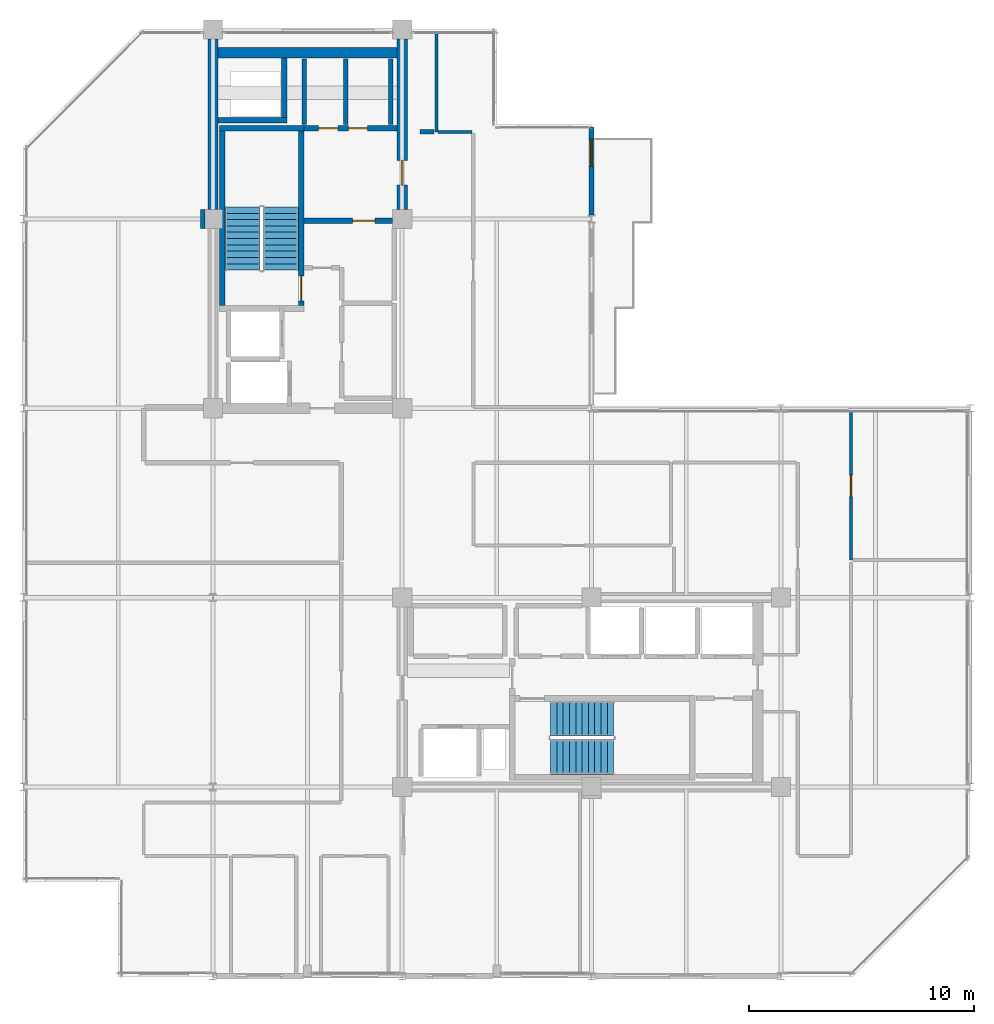
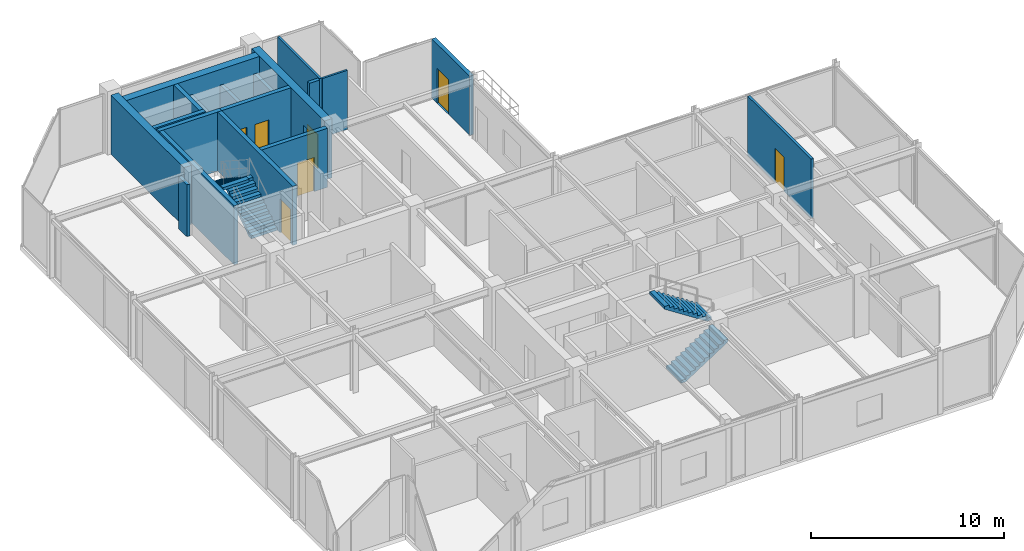
# One storey, part 23 of 26: 19 walls, 7 doors, 4 stair flights, 7 openings, 2 elements without a shape of their own.
"""IFC4 building model written with IfcOpenShell, lengths in metres."""

from ifc_helpers import new_model, si_unit, direction, frame, frame_2d, origin, place, context, subcontext, project, spatial, polyline, rectangle, outline, extrude, material, layer, layer_set, type_object, element, fill, aggregate, save


model = new_model("IFC4")

# Units and contexts
model_context = context("Model", 3, precision=1e-05, world=origin(), true_north=direction((0.0, 1.0)))
body_context = subcontext(model_context, "Body", "Model", "MODEL_VIEW")
ifc_project = project(units=[si_unit("LENGTHUNIT", "METRE"), si_unit("AREAUNIT", "SQUARE_METRE"), si_unit("VOLUMEUNIT", "CUBIC_METRE"), si_unit("PLANEANGLEUNIT", "RADIAN"), si_unit("MASSUNIT", "GRAM", prefix="KILO")], contexts=[model_context])

# Site, building, storey
site_placement = place(None, origin())
site = spatial("IfcSite", under=ifc_project, at=site_placement, CompositionType="ELEMENT")
building_placement = place(site_placement, origin())
building = spatial("IfcBuilding", under=site, at=building_placement, Name="Nerrivon Quay Data Exchange", CompositionType="ELEMENT")
storey_placement = place(building_placement, frame((0.0, 0.0, 250.199951171875)))
storey = spatial("IfcBuildingStorey", under=building, at=storey_placement, Name="L59", CompositionType="ELEMENT", Elevation=250.199951171875)

# Wall, opening, door
ifc_material_1 = material(Name="Architectural terracotta precast concrete N50 (50 MPa)", Category="masonry")
ifc_layer_1 = layer(ifc_material_1, 0.239990234375)
ifc_layer_set_1 = layer_set([ifc_layer_1], Name="Architectural terracotta precast concrete N50 (50 MPa)")
wall_type_1 = type_object("IfcWallType", Name="EW-PREC-240", PredefinedType="STANDARD", material=ifc_layer_set_1)
wall_1_placement = place(storey_placement, frame((25.199951171875, 37.679931640625, 0.0), z_axis=(0.0, 0.0, 1.0), x_axis=(0.0, -1.0, 0.0)))
wall_1 = element("IfcWall", 1, at=wall_1_placement, inside=storey, type_object=wall_type_1, Name="L59 Terrace Host Wall 22", PredefinedType="STANDARD", context=body_context, shape_type="SweptSolid", body=[
    extrude(rectangle(XDim=3.91650390625, YDim=0.239990234375, at=frame_2d((1.958251953125, 0.0))), origin(), (0.0, 0.0, 1.0), 3.72509765625),
])
opening_1_placement = place(wall_1_placement, frame((0.550048828125, 0.0, 0.0)))
opening_1 = element("IfcOpeningElement", 2, at=opening_1_placement, cuts=wall_1, Name="Opening TD1", PredefinedType="OPENING", context=body_context, shape_type="SweptSolid", body=[
    extrude(rectangle(XDim=1.199951171875, YDim=2.199951171875, at=frame_2d((0.60009765625, 1.10009765625))), frame((0.0, 0.1298828125, 0.0), z_axis=(0.0, -1.0, 0.0), x_axis=(1.0, 0.0, 0.0)), (0.0, 0.0, 1.0), 0.260009765625),
])
ifc_material_2 = material(Name="Double-glazed low-E solar control glass", Category="glass")
door_type_1 = type_object("IfcDoorType", Name="DR-TERR-1200x2200", OperationType="NOTDEFINED", PredefinedType="DOOR", material=ifc_material_2)
door_1_placement = place(opening_1_placement, origin())
door_1 = element("IfcDoor", 3, at=door_1_placement, inside=storey, type_object=door_type_1, Name="L59 Outdoor Terrace Access Door 22", OperationType="SINGLE_SWING_LEFT", OverallHeight=2.199951171875, OverallWidth=1.199951171875, PredefinedType="DOOR", context=body_context, shape_type="SweptSolid", body=[
    extrude(rectangle(XDim=1.199951171875, YDim=2.199951171875, at=frame_2d((0.60009765625, 1.10009765625))), frame((0.0, 0.02490234375, 0.0), z_axis=(0.0, -1.0, 0.0), x_axis=(1.0, 0.0, 0.0)), (0.0, 0.0, 1.0), 0.050048828125),
])
fill(opening_1, door_1)

# Walls
ifc_material_3 = material(Name="Concrete N50 (50 MPa)", Category="concrete")
ifc_layer_2 = layer(ifc_material_3, 0.449951171875)
ifc_layer_set_2 = layer_set([ifc_layer_2], Name="Concrete N50 (50 MPa)")
wall_type_2 = type_object("IfcWallType", Name="WALL-CW-550", PredefinedType="SHEAR", material=ifc_layer_set_2)
wall_2_placement = place(storey_placement, frame((8.39990234375, 34.02490234375, 0.0), z_axis=(0.0, 0.0, 1.0), x_axis=(0.0, 1.0, 0.0)))
element("IfcWall", 4, at=wall_2_placement, inside=storey, type_object=wall_type_2, Name="L59 West Split-Core Shear Wall WCW-W2", PredefinedType="SHEAR", context=body_context, shape_type="SweptSolid", body=[
    extrude(rectangle(XDim=7.550048828125, YDim=0.449951171875, at=frame_2d((3.77490234375, 0.0))), origin(), (0.0, 0.0, 1.0), 3.72509765625),
])
wall_3_placement = place(storey_placement, frame((8.625, 40.97509765625, 0.0), z_axis=(0.0, 0.0, 1.0), x_axis=(1.0, 0.0, 0.0)))
element("IfcWall", 5, at=wall_3_placement, inside=storey, type_object=wall_type_2, Name="L59 West Split-Core Shear Wall WCW-N1", PredefinedType="SHEAR", context=body_context, shape_type="SweptSolid", body=[
    extrude(rectangle(XDim=7.949951171875, YDim=0.449951171875, at=frame_2d((3.97509765625, 0.0))), origin(), (0.0, 0.0, 1.0), 3.72509765625),
])

# Wall, opening, door
wall_4_placement = place(storey_placement, frame((16.800048828125, 34.02490234375, 0.0), z_axis=(0.0, 0.0, 1.0), x_axis=(0.0, 1.0, 0.0)))
wall_4 = element("IfcWall", 6, at=wall_4_placement, inside=storey, type_object=wall_type_2, Name="L59 West Split-Core Shear Wall WCW-E1", PredefinedType="SHEAR", context=body_context, shape_type="SweptSolid", body=[
    extrude(rectangle(XDim=7.550048828125, YDim=0.449951171875, at=frame_2d((3.77490234375, 0.0))), origin(), (0.0, 0.0, 1.0), 3.72509765625),
])
opening_2_placement = place(wall_4_placement, frame((1.074951171875, 0.0, 0.0)))
opening_2 = element("IfcOpeningElement", 7, at=opening_2_placement, cuts=wall_4, Name="Opening FD-120", PredefinedType="OPENING", context=body_context, shape_type="SweptSolid", body=[
    extrude(rectangle(XDim=1.10009765625, YDim=2.14990234375, at=frame_2d((0.550048828125, 1.074951171875))), frame((0.0, 0.23486328125, 0.0), z_axis=(0.0, -1.0, 0.0), x_axis=(1.0, 0.0, 0.0)), (0.0, 0.0, 1.0), 0.469970703125),
])
ifc_material_4 = material(Name="Powder-coated galvanized steel sheet", Category="steel")
door_type_2 = type_object("IfcDoorType", Name="DR-FD120-1100", OperationType="NOTDEFINED", PredefinedType="DOOR", material=ifc_material_4)
door_2_placement = place(opening_2_placement, origin())
door_2 = element("IfcDoor", 8, at=door_2_placement, inside=storey, type_object=door_type_2, Name="L59 West Core Lobby Fire Door", OperationType="SINGLE_SWING_RIGHT", OverallHeight=2.14990234375, OverallWidth=1.10009765625, PredefinedType="DOOR", context=body_context, shape_type="SweptSolid", body=[
    extrude(rectangle(XDim=1.10009765625, YDim=2.14990234375, at=frame_2d((0.550048828125, 1.074951171875))), frame((0.0, 0.02490234375, 0.0), z_axis=(0.0, -1.0, 0.0), x_axis=(1.0, 0.0, 0.0)), (0.0, 0.0, 1.0), 0.050048828125),
])
fill(opening_2, door_2)

# Walls
ifc_material_5 = material(Name="Gypsum plasterboard on cold-formed framing", Category="gypsum")
ifc_layer_3 = layer(ifc_material_5, 0.199951171875)
ifc_layer_set_3 = layer_set([ifc_layer_3], Name="Gypsum plasterboard on cold-formed framing")
wall_type_3 = type_object("IfcWallType", Name="WALL-FW-200", PredefinedType="PARTITIONING", material=ifc_layer_set_3)
for number, where, z_axis, x_axis, name in (
    (9, (14.300048828125, 37.780029296875, 0.0), (0.0, 0.0, 1.0), (0.0, 1.0, 0.0), "L59 Partition Cleaners Store"),
    (10, (12.449951171875, 40.699951171875, 0.0), (0.0, 0.0, 1.0), (0.0, -1.0, 0.0), "L59 Partition Cleaners Store"),
    (11, (16.300048828125, 37.780029296875, 0.0), (0.0, 0.0, 1.0), (0.0, 1.0, 0.0), "L59 Partition Janitor Closet"),
):
    element("IfcWall", number, at=place(storey_placement, frame(where, z_axis=z_axis, x_axis=x_axis)), inside=storey, type_object=wall_type_3, Name=name, PredefinedType="PARTITIONING", context=body_context, shape_type="SweptSolid", body=[
        extrude(rectangle(XDim=2.919921875, YDim=0.199951171875, at=frame_2d((1.4599609375, 0.0))), origin(), (0.0, 0.0, 1.0), 2.775146484375),
    ])
wall_5_placement = place(storey_placement, frame((17.60009765625, 37.4599609375, 0.0), z_axis=(0.0, 0.0, 1.0), x_axis=(1.0, 0.0, 0.0)))
element("IfcWall", 12, at=wall_5_placement, inside=storey, type_object=wall_type_3, Name="L59 Partition Colocation Data Workspace 1", PredefinedType="PARTITIONING", context=body_context, shape_type="SweptSolid", body=[
    extrude(rectangle(XDim=0.607177734375, YDim=0.199951171875, at=frame_2d((0.3037109375, 0.0))), origin(), (0.0, 0.0, 1.0), 3.72509765625),
])
wall_6_placement = place(storey_placement, frame((7.955810546875, 33.169189453125, 0.0), z_axis=(0.0, 0.0, 1.0), x_axis=(-0.000855919801, 0.999999633701, 0.0)))
element("IfcWall", 13, at=wall_6_placement, inside=storey, type_object=wall_type_3, Name="L59 Partition Colocation Data Workspace 1", PredefinedType="PARTITIONING", context=body_context, shape_type="SweptSolid", body=[
    extrude(rectangle(XDim=0.855712890625, YDim=0.199951171875, at=frame_2d((0.427734375, 0.0))), origin(), (0.0, 0.0, 1.0), 3.27099609375),
])
ifc_layer_4 = layer(ifc_material_5, 0.1201171875)
ifc_layer_set_4 = layer_set([ifc_layer_4], Name="Gypsum plasterboard on cold-formed framing")
wall_type_4 = type_object("IfcWallType", Name="WALL-PT-120", PredefinedType="PARTITIONING", material=ifc_layer_set_4)
wall_7_placement = place(storey_placement, frame((18.398681640625, 37.4599609375, 0.0), z_axis=(0.0, 0.0, 1.0), x_axis=(1.0, 0.0, 0.0)))
element("IfcWall", 14, at=wall_7_placement, inside=storey, type_object=wall_type_4, Name="L59 Partition Engineers Lounge", PredefinedType="PARTITIONING", context=body_context, shape_type="SweptSolid", body=[
    extrude(rectangle(XDim=1.501220703125, YDim=0.1201171875, at=frame_2d((0.75048828125, 0.0))), origin(), (0.0, 0.0, 1.0), 3.72509765625),
])
ifc_layer_5 = layer(ifc_material_5, 0.135009765625)
ifc_layer_set_5 = layer_set([ifc_layer_5], Name="Gypsum plasterboard on cold-formed framing")
wall_type_5 = type_object("IfcWallType", Name="WALL-PT-135", PredefinedType="PARTITIONING", material=ifc_layer_set_5)
wall_8_placement = place(storey_placement, frame((18.327392578125, 41.8310546875, 0.0), z_axis=(0.0, 0.0, 1.0), x_axis=(0.0, -1.0, 0.0)))
element("IfcWall", 15, at=wall_8_placement, inside=storey, type_object=wall_type_5, Name="L59 Partition Engineers Lounge", PredefinedType="PARTITIONING", context=body_context, shape_type="SweptSolid", body=[
    extrude(rectangle(XDim=4.37109375, YDim=0.135009765625, at=frame_2d((2.185546875, 0.0))), origin(), (0.0, 0.0, 1.0), 3.72509765625),
])

# Wall, opening, door
ifc_layer_6 = layer(ifc_material_5, 0.14990234375)
ifc_layer_set_6 = layer_set([ifc_layer_6], Name="Gypsum plasterboard on cold-formed framing")
wall_type_6 = type_object("IfcWallType", Name="WALL-PT-150", PredefinedType="PARTITIONING", material=ifc_layer_set_6)
wall_9_placement = place(storey_placement, frame((36.7099609375, 25.031005859375, 0.0), z_axis=(0.0, 0.0, 1.0), x_axis=(0.0, -1.0, 0.0)))
wall_9 = element("IfcWall", 16, at=wall_9_placement, inside=storey, type_object=wall_type_6, Name="L59 Partition Engineers Lounge", PredefinedType="PARTITIONING", context=body_context, shape_type="SweptSolid", body=[
    extrude(rectangle(XDim=6.55615234375, YDim=0.14990234375, at=frame_2d((3.278076171875, 0.0))), origin(), (0.0, 0.0, 1.0), 3.72509765625),
])
opening_3_placement = place(wall_9_placement, frame((2.802978515625, 0.0, 0.0)))
opening_3 = element("IfcOpeningElement", 17, at=opening_3_placement, cuts=wall_9, Name="Opening D-01", PredefinedType="OPENING", context=body_context, shape_type="SweptSolid", body=[
    extrude(rectangle(XDim=0.949951171875, YDim=2.14990234375, at=frame_2d((0.47509765625, 1.074951171875))), frame((0.0, 0.0849609375, 0.0), z_axis=(0.0, -1.0, 0.0), x_axis=(1.0, 0.0, 0.0)), (0.0, 0.0, 1.0), 0.169921875),
])
ifc_material_6 = material(Name="Engineered hardwood timber", Category="wood")
door_type_3 = type_object("IfcDoorType", Name="DR-INT-950", OperationType="NOTDEFINED", PredefinedType="DOOR", material=ifc_material_6)
door_3_placement = place(opening_3_placement, origin())
door_3 = element("IfcDoor", 18, at=door_3_placement, inside=storey, type_object=door_type_3, Name="L59 Door Engineers Lounge", OperationType="SINGLE_SWING_RIGHT", OverallHeight=2.14990234375, OverallWidth=0.949951171875, PredefinedType="DOOR", context=body_context, shape_type="SweptSolid", body=[
    extrude(rectangle(XDim=0.949951171875, YDim=2.14990234375, at=frame_2d((0.47509765625, 1.074951171875))), frame((0.0, 0.02490234375, 0.0), z_axis=(0.0, -1.0, 0.0), x_axis=(1.0, 0.0, 0.0)), (0.0, 0.0, 1.0), 0.050048828125),
])
fill(opening_3, door_3)

# Wall
ifc_layer_7 = layer(ifc_material_3, 0.25)
ifc_layer_set_7 = layer_set([ifc_layer_7], Name="Concrete N50 (50 MPa)")
wall_type_7 = type_object("IfcWallType", Name="WALL-SW-250", PredefinedType="SHEAR", material=ifc_layer_set_7)
wall_10_placement = place(storey_placement, frame((12.449951171875, 37.625, 0.0), z_axis=(0.0, 0.0, 1.0), x_axis=(-1.0, 0.0, 0.0)))
element("IfcWall", 19, at=wall_10_placement, inside=storey, type_object=wall_type_7, Name="L59 ST01 Structural Stair Core Wall FAR", PredefinedType="SHEAR", context=body_context, shape_type="SweptSolid", body=[
    extrude(rectangle(XDim=3.75, YDim=0.25, at=frame_2d((1.875, 0.0))), origin(), (0.0, 0.0, 1.0), 3.72509765625),
])

# Wall, opening, door
wall_11_placement = place(storey_placement, frame((12.324951171875, 29.75, 0.0), z_axis=(0.0, 0.0, 1.0), x_axis=(0.0, 1.0, 0.0)))
wall_11 = element("IfcWall", 20, at=wall_11_placement, inside=storey, type_object=wall_type_7, Name="L59 ST01 Structural Stair Core Wall LEFT", PredefinedType="SHEAR", context=body_context, shape_type="SweptSolid", body=[
    extrude(rectangle(XDim=7.75, YDim=0.25, at=frame_2d((3.875, 0.0))), origin(), (0.0, 0.0, 1.0), 3.72509765625),
])
opening_4_placement = place(wall_11_placement, frame((0.219970703125, 0.0, 0.0)))
opening_4 = element("IfcOpeningElement", 21, at=opening_4_placement, cuts=wall_11, Name="Opening FD-120", PredefinedType="OPENING", context=body_context, shape_type="SweptSolid", body=[
    extrude(rectangle(XDim=1.10009765625, YDim=2.14990234375, at=frame_2d((0.550048828125, 1.074951171875))), frame((0.0, 0.135009765625, 0.0), z_axis=(0.0, -1.0, 0.0), x_axis=(1.0, 0.0, 0.0)), (0.0, 0.0, 1.0), 0.27001953125),
])
door_4_placement = place(opening_4_placement, origin())
door_4 = element("IfcDoor", 22, at=door_4_placement, inside=storey, type_object=door_type_2, Name="L59 Protected Stair Door ST01", OperationType="SINGLE_SWING_RIGHT", OverallHeight=2.14990234375, OverallWidth=1.10009765625, PredefinedType="DOOR", context=body_context, shape_type="SweptSolid", body=[
    extrude(rectangle(XDim=1.10009765625, YDim=2.14990234375, at=frame_2d((0.550048828125, 1.074951171875))), frame((0.0, 0.02490234375, 0.0), z_axis=(0.0, -1.0, 0.0), x_axis=(1.0, 0.0, 0.0)), (0.0, 0.0, 1.0), 0.050048828125),
])
fill(opening_4, door_4)

# Walls
wall_12_placement = place(storey_placement, frame((8.824951171875, 29.75, 0.0), z_axis=(0.0, 0.0, 1.0), x_axis=(0.0, 1.0, 0.0)))
element("IfcWall", 23, at=wall_12_placement, inside=storey, type_object=wall_type_7, Name="L59 ST01 Structural Stair Core Wall RIGHT", PredefinedType="SHEAR", context=body_context, shape_type="SweptSolid", body=[
    extrude(rectangle(XDim=7.75, YDim=0.25, at=frame_2d((3.875, 0.0))), origin(), (0.0, 0.0, 1.0), 3.72509765625),
])
wall_13_placement = place(storey_placement, frame((8.625, 37.97509765625, 0.0), z_axis=(0.0, 0.0, 1.0), x_axis=(1.0, 0.0, 0.0)))
element("IfcWall", 24, at=wall_13_placement, inside=storey, type_object=wall_type_7, Name="L59 West Core MEP Riser Shaft Wall S", PredefinedType="SHEAR", context=body_context, shape_type="SweptSolid", body=[
    extrude(rectangle(XDim=3.074951171875, YDim=0.25, at=frame_2d((1.53759765625, 0.0))), origin(), (0.0, 0.0, 1.0), 3.72509765625),
])
wall_14_placement = place(storey_placement, frame((11.574951171875, 38.10009765625, 0.0), z_axis=(0.0, 0.0, 1.0), x_axis=(0.0, 1.0, 0.0)))
element("IfcWall", 25, at=wall_14_placement, inside=storey, type_object=wall_type_7, Name="L59 West Core MEP Riser Shaft Wall E", PredefinedType="SHEAR", context=body_context, shape_type="SweptSolid", body=[
    extrude(rectangle(XDim=2.64990234375, YDim=0.25, at=frame_2d((1.324951171875, 0.0))), origin(), (0.0, 0.0, 1.0), 3.72509765625),
])

# Wall, opening, door
wall_15_placement = place(storey_placement, frame((12.449951171875, 33.52001953125, 0.0), z_axis=(0.0, 0.0, 1.0), x_axis=(1.0, 0.0, 0.0)))
wall_15 = element("IfcWall", 26, at=wall_15_placement, inside=storey, type_object=wall_type_7, Name="L59 West Lobby Smoke-Stop Wall", PredefinedType="SHEAR", context=body_context, shape_type="SweptSolid", body=[
    extrude(rectangle(XDim=3.925048828125, YDim=0.25, at=frame_2d((1.96240234375, 0.0))), origin(), (0.0, 0.0, 1.0), 3.72509765625),
])
opening_5_placement = place(wall_15_placement, frame((2.14990234375, 0.0, 0.0)))
opening_5 = element("IfcOpeningElement", 27, at=opening_5_placement, cuts=wall_15, Name="Opening FD-60", PredefinedType="OPENING", context=body_context, shape_type="SweptSolid", body=[
    extrude(rectangle(XDim=1.0, YDim=2.14990234375, at=frame_2d((0.5, 1.074951171875))), frame((0.0, 0.135009765625, 0.0), z_axis=(0.0, -1.0, 0.0), x_axis=(1.0, 0.0, 0.0)), (0.0, 0.0, 1.0), 0.27001953125),
])
door_type_4 = type_object("IfcDoorType", Name="DR-FD60-1000", OperationType="NOTDEFINED", PredefinedType="DOOR", material=ifc_material_6)
door_5_placement = place(opening_5_placement, origin())
door_5 = element("IfcDoor", 28, at=door_5_placement, inside=storey, type_object=door_type_4, Name="L59 West Firefighting Lobby Fire Door", OperationType="SINGLE_SWING_RIGHT", OverallHeight=2.14990234375, OverallWidth=1.0, PredefinedType="DOOR", context=body_context, shape_type="SweptSolid", body=[
    extrude(rectangle(XDim=1.0, YDim=2.14990234375, at=frame_2d((0.5, 1.074951171875))), frame((0.0, 0.02490234375, 0.0), z_axis=(0.0, -1.0, 0.0), x_axis=(1.0, 0.0, 0.0)), (0.0, 0.0, 1.0), 0.050048828125),
])
fill(opening_5, door_5)

# Wall, openings, doors
wall_16_placement = place(storey_placement, frame((12.449951171875, 37.625, 0.0), z_axis=(0.0, 0.0, 1.0), x_axis=(1.0, 0.0, 0.0)))
wall_16 = element("IfcWall", 29, at=wall_16_placement, inside=storey, type_object=wall_type_7, Name="L59 West Firefighting Lobby Wall", PredefinedType="SHEAR", context=body_context, shape_type="SweptSolid", body=[
    extrude(rectangle(XDim=4.125, YDim=0.25, at=frame_2d((2.0625, 0.0))), origin(), (0.0, 0.0, 1.0), 3.72509765625),
])
opening_6_placement = place(wall_16_placement, frame((0.6474609375, 0.0, 0.0)))
opening_6 = element("IfcOpeningElement", 30, at=opening_6_placement, cuts=wall_16, Name="Opening FD-60S", PredefinedType="OPENING", context=body_context, shape_type="SweptSolid", body=[
    extrude(rectangle(XDim=0.85009765625, YDim=2.14990234375, at=frame_2d((0.425048828125, 1.074951171875))), frame((0.0, 0.135009765625, 0.0), z_axis=(0.0, -1.0, 0.0), x_axis=(1.0, 0.0, 0.0)), (0.0, 0.0, 1.0), 0.27001953125),
])
opening_7_placement = place(wall_16_placement, frame((1.967529296875, 0.0, 0.0)))
opening_7 = element("IfcOpeningElement", 31, at=opening_7_placement, cuts=wall_16, Name="Opening FD-60S", PredefinedType="OPENING", context=body_context, shape_type="SweptSolid", body=[
    extrude(rectangle(XDim=0.85009765625, YDim=2.14990234375, at=frame_2d((0.425048828125, 1.074951171875))), frame((0.0, 0.135009765625, 0.0), z_axis=(0.0, -1.0, 0.0), x_axis=(1.0, 0.0, 0.0)), (0.0, 0.0, 1.0), 0.27001953125),
])
door_type_5 = type_object("IfcDoorType", Name="DR-FD60-850", OperationType="NOTDEFINED", PredefinedType="DOOR", material=ifc_material_6)
door_6_placement = place(opening_6_placement, origin())
door_6 = element("IfcDoor", 32, at=door_6_placement, inside=storey, type_object=door_type_5, Name="L59 Door Cleaners Store", OperationType="SINGLE_SWING_RIGHT", OverallHeight=2.14990234375, OverallWidth=0.85009765625, PredefinedType="DOOR", context=body_context, shape_type="SweptSolid", body=[
    extrude(rectangle(XDim=0.85009765625, YDim=2.14990234375, at=frame_2d((0.425048828125, 1.074951171875))), frame((0.0, 0.02490234375, 0.0), z_axis=(0.0, -1.0, 0.0), x_axis=(1.0, 0.0, 0.0)), (0.0, 0.0, 1.0), 0.050048828125),
])
fill(opening_6, door_6)
door_7_placement = place(opening_7_placement, origin())
door_7 = element("IfcDoor", 33, at=door_7_placement, inside=storey, type_object=door_type_5, Name="L59 Door Janitor Closet", OperationType="SINGLE_SWING_LEFT", OverallHeight=2.14990234375, OverallWidth=0.85009765625, PredefinedType="DOOR", context=body_context, shape_type="SweptSolid", body=[
    extrude(rectangle(XDim=0.85009765625, YDim=2.14990234375, at=frame_2d((0.425048828125, 1.074951171875))), frame((0.0, 0.02490234375, 0.0), z_axis=(0.0, -1.0, 0.0), x_axis=(1.0, 0.0, 0.0)), (0.0, 0.0, 1.0), 0.050048828125),
])
fill(opening_7, door_7)

# Stair, stair flights
stair_type = type_object("IfcStairType", Name="STAIR-DOG-40", PredefinedType="HALF_TURN_STAIR", material=ifc_material_3)
stair_1_placement = place(storey_placement, origin())
stair_1 = element("IfcStair", 34, at=stair_1_placement, inside=storey, type_object=stair_type, Name="L59 West Core Fire Stair ST01", PredefinedType="HALF_TURN_STAIR")
stair_flight_type = type_object("IfcStairFlightType", Name="FLIGHT-DOG-40", PredefinedType="STRAIGHT", material=ifc_material_3)
stair_flight_1_placement = place(storey_placement, frame((11.425048828125, 31.330078125, 0.0), z_axis=(0.0, 0.0, 1.0), x_axis=(0.0, 1.0, 0.0)))
stair_flight_1 = element("IfcStairFlight", 35, at=stair_flight_1_placement, type_object=stair_flight_type, Name="ST01 flight 1", NumberOfRisers=11, NumberOfTreads=10, PredefinedType="STRAIGHT", RiserHeight=0.181818182, TreadLength=0.28, context=body_context, shape_type="SweptSolid", body=[
    extrude(outline(polyline([(0.0, 0.0), (0.0, 0.181884765625), (0.280029296875, 0.181884765625), (0.280029296875, 0.363525390625), (0.56005859375, 0.363525390625), (0.56005859375, 0.54541015625), (0.840087890625, 0.54541015625), (0.840087890625, 0.727294921875), (1.1201171875, 0.727294921875), (1.1201171875, 0.9091796875), (1.39990234375, 0.9091796875), (1.39990234375, 1.0908203125), (1.679931640625, 1.0908203125), (1.679931640625, 1.272705078125), (1.9599609375, 1.272705078125), (1.9599609375, 1.45458984375), (2.239990234375, 1.45458984375), (2.239990234375, 1.636474609375), (2.52001953125, 1.636474609375), (2.52001953125, 1.818115234375), (2.800048828125, 1.818115234375), (2.800048828125, 2.0), (2.800048828125, 1.639404296875), (0.275146484375, 0.0), (0.0, 0.0)])), frame((0.0, 0.77490234375, 0.0), z_axis=(0.0, -1.0, 0.0), x_axis=(1.0, 0.0, 0.0)), (0.0, 0.0, 1.0), 1.550048828125),
])
stair_flight_2_placement = place(storey_placement, frame((9.72509765625, 34.1298828125, 2.0), z_axis=(0.0, 0.0, 1.0), x_axis=(0.0, -1.0, 0.0)))
stair_flight_2 = element("IfcStairFlight", 36, at=stair_flight_2_placement, type_object=stair_flight_type, Name="ST01 flight 2", NumberOfRisers=11, NumberOfTreads=10, PredefinedType="STRAIGHT", RiserHeight=0.181818182, TreadLength=0.28, context=body_context, shape_type="SweptSolid", body=[
    extrude(outline(polyline([(0.0, 0.0), (0.0, 0.181884765625), (0.280029296875, 0.181884765625), (0.280029296875, 0.363525390625), (0.56005859375, 0.363525390625), (0.56005859375, 0.54541015625), (0.840087890625, 0.54541015625), (0.840087890625, 0.727294921875), (1.1201171875, 0.727294921875), (1.1201171875, 0.9091796875), (1.39990234375, 0.9091796875), (1.39990234375, 1.0908203125), (1.679931640625, 1.0908203125), (1.679931640625, 1.272705078125), (1.9599609375, 1.272705078125), (1.9599609375, 1.45458984375), (2.239990234375, 1.45458984375), (2.239990234375, 1.636474609375), (2.52001953125, 1.636474609375), (2.52001953125, 1.818115234375), (2.800048828125, 1.818115234375), (2.800048828125, 2.0), (2.800048828125, 1.639404296875), (0.275146484375, 0.0), (0.0, 0.0)])), frame((0.0, 0.77490234375, 0.0), z_axis=(0.0, -1.0, 0.0), x_axis=(1.0, 0.0, 0.0)), (0.0, 0.0, 1.0), 1.550048828125),
])
aggregate(stair_1, [stair_flight_1, stair_flight_2])

stair_2_placement = place(storey_placement, origin())
stair_2 = element("IfcStair", 37, at=stair_2_placement, inside=storey, type_object=stair_type, Name="L59 East Core Fire Stair ST02", PredefinedType="HALF_TURN_STAIR")
stair_flight_3_placement = place(storey_placement, frame((23.3798828125, 9.72509765625, 0.0), z_axis=(0.0, 0.0, 1.0), x_axis=(1.0, 0.0, 0.0)))
stair_flight_3 = element("IfcStairFlight", 38, at=stair_flight_3_placement, type_object=stair_flight_type, Name="ST02 flight 1", NumberOfRisers=11, NumberOfTreads=10, PredefinedType="STRAIGHT", RiserHeight=0.181818182, TreadLength=0.28, context=body_context, shape_type="SweptSolid", body=[
    extrude(outline(polyline([(0.0, 0.0), (0.0, 0.181884765625), (0.280029296875, 0.181884765625), (0.280029296875, 0.363525390625), (0.56005859375, 0.363525390625), (0.56005859375, 0.54541015625), (0.840087890625, 0.54541015625), (0.840087890625, 0.727294921875), (1.1201171875, 0.727294921875), (1.1201171875, 0.9091796875), (1.39990234375, 0.9091796875), (1.39990234375, 1.0908203125), (1.679931640625, 1.0908203125), (1.679931640625, 1.272705078125), (1.9599609375, 1.272705078125), (1.9599609375, 1.45458984375), (2.239990234375, 1.45458984375), (2.239990234375, 1.636474609375), (2.52001953125, 1.636474609375), (2.52001953125, 1.818115234375), (2.800048828125, 1.818115234375), (2.800048828125, 2.0), (2.800048828125, 1.639404296875), (0.275146484375, 0.0), (0.0, 0.0)])), frame((0.0, 0.77490234375, 0.0), z_axis=(0.0, -1.0, 0.0), x_axis=(1.0, 0.0, 0.0)), (0.0, 0.0, 1.0), 1.550048828125),
])
stair_flight_4_placement = place(storey_placement, frame((26.179931640625, 11.425048828125, 2.0), z_axis=(0.0, 0.0, 1.0), x_axis=(-1.0, 0.0, 0.0)))
stair_flight_4 = element("IfcStairFlight", 39, at=stair_flight_4_placement, type_object=stair_flight_type, Name="ST02 flight 2", NumberOfRisers=11, NumberOfTreads=10, PredefinedType="STRAIGHT", RiserHeight=0.181818182, TreadLength=0.28, context=body_context, shape_type="SweptSolid", body=[
    extrude(outline(polyline([(0.0, 0.0), (0.0, 0.181884765625), (0.280029296875, 0.181884765625), (0.280029296875, 0.363525390625), (0.56005859375, 0.363525390625), (0.56005859375, 0.54541015625), (0.840087890625, 0.54541015625), (0.840087890625, 0.727294921875), (1.1201171875, 0.727294921875), (1.1201171875, 0.9091796875), (1.39990234375, 0.9091796875), (1.39990234375, 1.0908203125), (1.679931640625, 1.0908203125), (1.679931640625, 1.272705078125), (1.9599609375, 1.272705078125), (1.9599609375, 1.45458984375), (2.239990234375, 1.45458984375), (2.239990234375, 1.636474609375), (2.52001953125, 1.636474609375), (2.52001953125, 1.818115234375), (2.800048828125, 1.818115234375), (2.800048828125, 2.0), (2.800048828125, 1.639404296875), (0.275146484375, 0.0), (0.0, 0.0)])), frame((0.0, 0.77490234375, 0.0), z_axis=(0.0, -1.0, 0.0), x_axis=(1.0, 0.0, 0.0)), (0.0, 0.0, 1.0), 1.550048828125),
])
aggregate(stair_2, [stair_flight_3, stair_flight_4])

save(model, "model.ifc")
